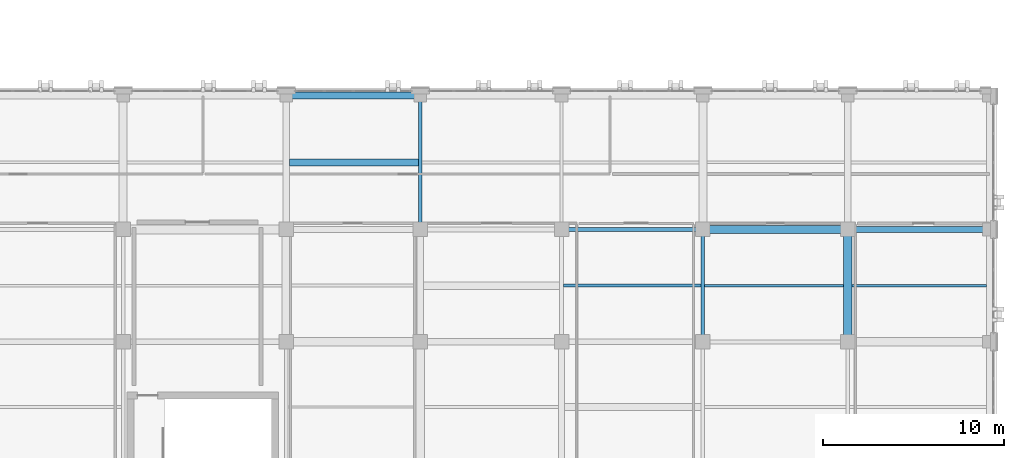
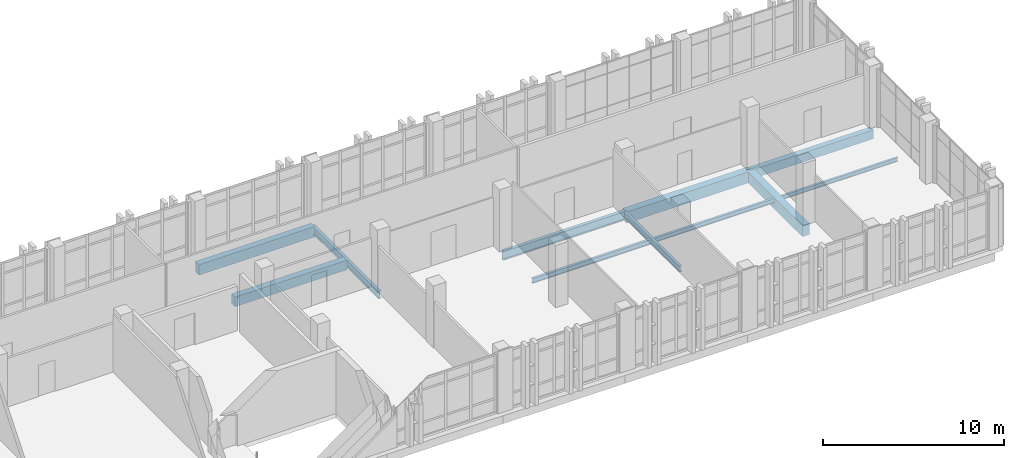
# One storey, part 121 of 193: 11 beams.
"""IFC4 building model written with IfcOpenShell, lengths in metres."""

from ifc_helpers import new_model, si_unit, direction, frame, origin, origin_2d, place, context, subcontext, project, spatial, rectangle, i_section, extrude, material, material_profile, profile_set, type_object, element, save


model = new_model("IFC4")

# Units and contexts
model_context = context("Model", 3, precision=1e-05, world=origin(), true_north=direction((0.0, 1.0)))
body_context = subcontext(model_context, "Body", "Model", "MODEL_VIEW")
ifc_project = project(units=[si_unit("LENGTHUNIT", "METRE"), si_unit("AREAUNIT", "SQUARE_METRE"), si_unit("VOLUMEUNIT", "CUBIC_METRE"), si_unit("PLANEANGLEUNIT", "RADIAN"), si_unit("MASSUNIT", "GRAM", prefix="KILO")], contexts=[model_context])

# Site, building, storey
site_placement = place(None, origin())
site = spatial("IfcSite", under=ifc_project, at=site_placement, CompositionType="ELEMENT")
building_placement = place(site_placement, origin())
building = spatial("IfcBuilding", under=site, at=building_placement, Name="Qalavern Law Courts", CompositionType="ELEMENT")
storey_placement = place(building_placement, frame((0.0, 0.0, 10.199951171875)))
storey = spatial("IfcBuildingStorey", under=building, at=storey_placement, Name="L02", CompositionType="ELEMENT", Elevation=10.199951171875)

# Beams
ifc_material_1 = material(Name="Steel S355", Category="steel")
ifc_material_profile_1 = material_profile(ifc_material_1, i_section(OverallWidth=0.179931640625, OverallDepth=0.39990234375, WebThickness=0.008544921875, FlangeThickness=0.013427734375, FilletRadius=0.02099609375, at=origin_2d()), Name="IPE 400")
ifc_profile_set_1 = profile_set([ifc_material_profile_1], Name="Steel S355")
beam_type_1 = type_object("IfcBeamType", Name="STR-BM-IPE400", PredefinedType="BEAM", material=ifc_profile_set_1)
beam_1_placement = place(storey_placement, frame((149.800048828125, 8.60009765625, -0.489990234375), z_axis=(0.0, 1.0, 0.0), x_axis=(-1.0, 0.0, 0.0)))
element("IfcBeam", 1, at=beam_1_placement, inside=storey, type_object=beam_type_1, Name="V6 Y-beam 7-2 L02", PredefinedType="BEAM", context=body_context, shape_type="SweptSolid", body=[
    extrude(i_section(OverallWidth=0.179931640625, OverallDepth=0.39990234375, WebThickness=0.008544921875, FlangeThickness=0.013427734375, FilletRadius=0.02099609375, at=origin_2d()), origin(), (0.0, 0.0, 1.0), 6.199951171875),
])
ifc_material_profile_2 = material_profile(ifc_material_1, i_section(OverallWidth=0.199951171875, OverallDepth=0.5, WebThickness=0.01025390625, FlangeThickness=0.01611328125, FilletRadius=0.02099609375, at=origin_2d()), Name="IPE 500")
ifc_profile_set_2 = profile_set([ifc_material_profile_2], Name="Steel S355")
beam_type_2 = type_object("IfcBeamType", Name="STR-BM-IPE500", PredefinedType="BEAM", material=ifc_profile_set_2)
beam_2_placement = place(storey_placement, frame((134.199951171875, 14.800048828125, -0.5400390625), z_axis=(0.0, 1.0, 0.0), x_axis=(-1.0, 0.0, 0.0)))
element("IfcBeam", 2, at=beam_2_placement, inside=storey, type_object=beam_type_2, Name="V6 Y-beam 5-3 L02", PredefinedType="BEAM", context=body_context, shape_type="SweptSolid", body=[
    extrude(i_section(OverallWidth=0.199951171875, OverallDepth=0.5, WebThickness=0.01025390625, FlangeThickness=0.01611328125, FilletRadius=0.02099609375, at=origin_2d()), origin(), (0.0, 0.0, 1.0), 7.39990234375),
])
ifc_material_profile_3 = material_profile(ifc_material_1, i_section(OverallWidth=0.219970703125, OverallDepth=0.60009765625, WebThickness=0.011962890625, FlangeThickness=0.01904296875, FilletRadius=0.02392578125, at=origin_2d()), Name="IPE 600")
ifc_profile_set_3 = profile_set([ifc_material_profile_3], Name="Steel S355")
beam_type_3 = type_object("IfcBeamType", Name="STR-BM-IPE600", PredefinedType="BEAM", material=ifc_profile_set_3)
beam_3_placement = place(storey_placement, frame((142.0, 14.800048828125, -0.58984375), z_axis=(1.0, 0.0, 0.0), x_axis=(0.0, 1.0, 0.0)))
element("IfcBeam", 3, at=beam_3_placement, inside=storey, type_object=beam_type_3, Name="V6 X-beam 3-6 L02", PredefinedType="BEAM", context=body_context, shape_type="SweptSolid", body=[
    extrude(i_section(OverallWidth=0.219970703125, OverallDepth=0.60009765625, WebThickness=0.011962890625, FlangeThickness=0.01904296875, FilletRadius=0.02392578125, at=origin_2d()), origin(), (0.0, 0.0, 1.0), 7.800048828125),
])
ifc_material_2 = material(Name="Concrete C35/45", Category="concrete")
ifc_material_profile_4 = material_profile(ifc_material_2, rectangle(XDim=0.35009765625, YDim=0.60009765625, at=origin_2d()), Name="RC 350x600")
ifc_profile_set_4 = profile_set([ifc_material_profile_4], Name="Concrete C35/45")
beam_type_4 = type_object("IfcBeamType", Name="STR-BM-RC350x600", PredefinedType="BEAM", material=ifc_profile_set_4)
beam_4_placement = place(storey_placement, frame((157.800048828125, 14.800048828125, -0.58984375), z_axis=(1.0, 0.0, 0.0), x_axis=(0.0, 1.0, 0.0)))
element("IfcBeam", 4, at=beam_4_placement, inside=storey, type_object=beam_type_4, Name="V6 X-beam 3-8 L02", PredefinedType="BEAM", context=body_context, shape_type="SweptSolid", body=[
    extrude(rectangle(XDim=0.35009765625, YDim=0.60009765625, at=origin_2d()), origin(), (0.0, 0.0, 1.0), 7.800048828125),
])
ifc_material_3 = material(Name="Concrete C40/50", Category="concrete")
ifc_material_profile_5 = material_profile(ifc_material_3, rectangle(XDim=0.449951171875, YDim=0.75, at=origin_2d()), Name="RC 450x750")
ifc_profile_set_5 = profile_set([ifc_material_profile_5], Name="Concrete C40/50")
beam_type_5 = type_object("IfcBeamType", Name="STR-BM-RC450x750", PredefinedType="BEAM", material=ifc_profile_set_5)
beam_5_placement = place(storey_placement, frame((149.800048828125, 14.800048828125, -0.6650390625), z_axis=(1.0, 0.0, 0.0), x_axis=(0.0, 1.0, 0.0)))
element("IfcBeam", 5, at=beam_5_placement, inside=storey, type_object=beam_type_5, Name="V6 X-beam 3-7 L02", PredefinedType="BEAM", context=body_context, shape_type="SweptSolid", body=[
    extrude(rectangle(XDim=0.449951171875, YDim=0.75, at=origin_2d()), origin(), (0.0, 0.0, 1.0), 8.0),
])
beam_6_placement = place(storey_placement, frame((157.800048828125, 8.60009765625, -0.6650390625), z_axis=(0.0, 1.0, 0.0), x_axis=(-1.0, 0.0, 0.0)))
element("IfcBeam", 6, at=beam_6_placement, inside=storey, type_object=beam_type_5, Name="V6 Y-beam 8-2 L02", PredefinedType="BEAM", context=body_context, shape_type="SweptSolid", body=[
    extrude(rectangle(XDim=0.449951171875, YDim=0.75, at=origin_2d()), origin(), (0.0, 0.0, 1.0), 6.199951171875),
])
ifc_material_profile_6 = material_profile(ifc_material_1, i_section(OverallWidth=0.135009765625, OverallDepth=0.27001953125, WebThickness=0.006591796875, FlangeThickness=0.01025390625, FilletRadius=0.014892578125, at=origin_2d()), Name="IPE 270")
ifc_profile_set_6 = profile_set([ifc_material_profile_6], Name="Steel S355")
beam_type_6 = type_object("IfcBeamType", Name="STR-JST-IPE270", PredefinedType="JOIST", material=ifc_profile_set_6)
beam_7_placement = place(storey_placement, frame((158.02294921875, 11.699951171875, -0.425048828125), z_axis=(1.0, 0.0, 0.0), x_axis=(0.0, 1.0, 0.0)))
element("IfcBeam", 7, at=beam_7_placement, inside=storey, type_object=beam_type_6, Name="V6 secondary joist 8.2.1 L02", PredefinedType="JOIST", context=body_context, shape_type="SweptSolid", body=[
    extrude(i_section(OverallWidth=0.135009765625, OverallDepth=0.27001953125, WebThickness=0.006591796875, FlangeThickness=0.01025390625, FilletRadius=0.014892578125, at=origin_2d()), origin(), (0.0, 0.0, 1.0), 7.428955078125),
])
ifc_material_profile_7 = material_profile(ifc_material_1, i_section(OverallWidth=0.14990234375, OverallDepth=0.300048828125, WebThickness=0.007080078125, FlangeThickness=0.0107421875, FilletRadius=0.014892578125, at=origin_2d()), Name="IPE 300")
ifc_profile_set_7 = profile_set([ifc_material_profile_7], Name="Steel S355")
beam_type_7 = type_object("IfcBeamType", Name="STR-JST-IPE300", PredefinedType="JOIST", material=ifc_profile_set_7)
beam_8_placement = place(storey_placement, frame((149.887939453125, 11.699951171875, -0.43994140625), z_axis=(1.0, 0.0, 0.0), x_axis=(0.0, 1.0, 0.0)))
element("IfcBeam", 8, at=beam_8_placement, inside=storey, type_object=beam_type_7, Name="V6 secondary joist 7.2.1 L02", PredefinedType="JOIST", context=body_context, shape_type="SweptSolid", body=[
    extrude(i_section(OverallWidth=0.14990234375, OverallDepth=0.300048828125, WebThickness=0.007080078125, FlangeThickness=0.0107421875, FilletRadius=0.014892578125, at=origin_2d()), origin(), (0.0, 0.0, 1.0), 7.68896484375),
])
ifc_material_profile_8 = material_profile(ifc_material_1, i_section(OverallWidth=0.159912109375, OverallDepth=0.330078125, WebThickness=0.007568359375, FlangeThickness=0.011474609375, FilletRadius=0.01806640625, at=origin_2d()), Name="IPE 330")
ifc_profile_set_8 = profile_set([ifc_material_profile_8], Name="Steel S355")
beam_type_8 = type_object("IfcBeamType", Name="STR-JST-IPE330", PredefinedType="JOIST", material=ifc_profile_set_8)
beam_9_placement = place(storey_placement, frame((142.097900390625, 11.699951171875, -0.454833984375), z_axis=(1.0, 0.0, 0.0), x_axis=(0.0, 1.0, 0.0)))
element("IfcBeam", 9, at=beam_9_placement, inside=storey, type_object=beam_type_8, Name="V6 secondary joist 6.2.1 L02", PredefinedType="JOIST", context=body_context, shape_type="SweptSolid", body=[
    extrude(i_section(OverallWidth=0.159912109375, OverallDepth=0.330078125, WebThickness=0.007568359375, FlangeThickness=0.011474609375, FilletRadius=0.01806640625, at=origin_2d()), origin(), (0.0, 0.0, 1.0), 7.614013671875),
])
ifc_material_profile_9 = material_profile(ifc_material_2, rectangle(XDim=0.39990234375, YDim=0.64990234375, at=origin_2d()), Name="RC 400x650")
ifc_profile_set_9 = profile_set([ifc_material_profile_9], Name="Concrete C35/45")
beam_type_9 = type_object("IfcBeamType", Name="STR-JST-RC400x650", PredefinedType="JOIST", material=ifc_profile_set_9)
beam_10_placement = place(storey_placement, frame((126.972900390625, 18.5, -0.614990234375), z_axis=(1.0, 0.0, 0.0), x_axis=(0.0, 1.0, 0.0)))
element("IfcBeam", 10, at=beam_10_placement, inside=storey, type_object=beam_type_9, Name="V6 secondary joist 4.3.1 L02", PredefinedType="JOIST", context=body_context, shape_type="SweptSolid", body=[
    extrude(rectangle(XDim=0.39990234375, YDim=0.64990234375, at=origin_2d()), origin(), (0.0, 0.0, 1.0), 7.129150390625),
])
ifc_material_profile_10 = material_profile(ifc_material_3, rectangle(XDim=0.39990234375, YDim=0.699951171875, at=origin_2d()), Name="RC 400x700")
ifc_profile_set_10 = profile_set([ifc_material_profile_10], Name="Concrete C40/50")
beam_type_10 = type_object("IfcBeamType", Name="STR-SP-RC400x700", PredefinedType="SPANDREL", material=ifc_profile_set_10)
beam_11_placement = place(storey_placement, frame((126.800048828125, 22.199951171875, -0.639892578125), z_axis=(1.0, 0.0, 0.0), x_axis=(0.0, 1.0, 0.0)))
element("IfcBeam", 11, at=beam_11_placement, inside=storey, type_object=beam_type_10, Name="V6 X-beam 4-4 L02", PredefinedType="SPANDREL", context=body_context, shape_type="SweptSolid", body=[
    extrude(rectangle(XDim=0.39990234375, YDim=0.699951171875, at=origin_2d()), origin(), (0.0, 0.0, 1.0), 7.39990234375),
])

save(model, "model.ifc")
